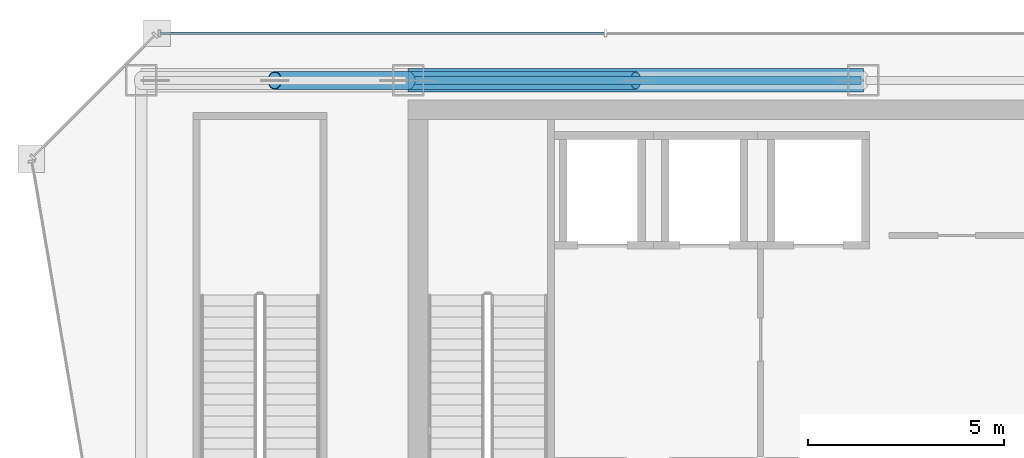
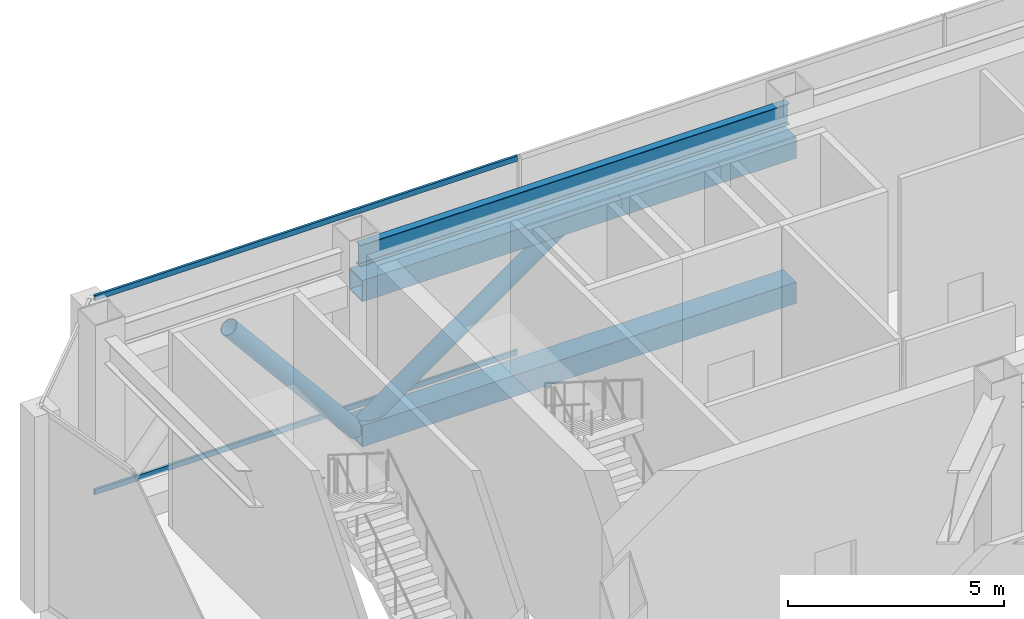
# One storey, part 22 of 34: 6 members, 1 beam, 1 element without a shape of its own.
"""IFC4 building model written with IfcOpenShell, lengths in metres."""

from ifc_helpers import new_model, si_unit, direction, frame, origin, origin_2d, place, context, subcontext, project, spatial, hollow_rectangle, hollow_circle, i_section, extrude, material, material_profile, profile_set, type_object, element, aggregate, save


model = new_model("IFC4")

# Units and contexts
model_context = context("Model", 3, precision=1e-05, world=origin(), true_north=direction((0.0, 1.0)))
body_context = subcontext(model_context, "Body", "Model", "MODEL_VIEW")
ifc_project = project(units=[si_unit("LENGTHUNIT", "METRE"), si_unit("AREAUNIT", "SQUARE_METRE"), si_unit("VOLUMEUNIT", "CUBIC_METRE"), si_unit("PLANEANGLEUNIT", "RADIAN"), si_unit("MASSUNIT", "GRAM", prefix="KILO")], contexts=[model_context])

# Site, building, storey
site_placement = place(None, origin())
site = spatial("IfcSite", under=ifc_project, at=site_placement, CompositionType="ELEMENT")
building_placement = place(site_placement, origin())
building = spatial("IfcBuilding", under=site, at=building_placement, Name="Saevonmaru Cultural Tower", CompositionType="ELEMENT")
storey_placement = place(building_placement, frame((0.0, 0.0, 224.60009765625)))
storey = spatial("IfcBuildingStorey", under=building, at=storey_placement, Name="L52", CompositionType="ELEMENT", Elevation=224.60009765625)

# Beam
ifc_material_1 = material(Name="Steel SM355", Category="steel")
ifc_material_profile_1 = material_profile(ifc_material_1, i_section(OverallWidth=0.199951171875, OverallDepth=0.60009765625, WebThickness=0.010986328125, FlangeThickness=0.01708984375, FilletRadius=0.02197265625, at=origin_2d()), Name="H-600x200x11x17")
ifc_profile_set_1 = profile_set([ifc_material_profile_1], Name="Steel SM355")
beam_type = type_object("IfcBeamType", Name="BM-SP-H600", PredefinedType="SPANDREL", material=ifc_profile_set_1)
beam_placement = place(storey_placement, frame((13.659912109375, 54.800048828125, 5.25), z_axis=(1.0, 0.0, 0.0), x_axis=(0.0, 1.0, 0.0)))
element("IfcBeam", 1, at=beam_placement, inside=storey, type_object=beam_type, Name="L52 North Spine Girder 2", PredefinedType="SPANDREL", context=body_context, shape_type="SweptSolid", body=[
    extrude(i_section(OverallWidth=0.199951171875, OverallDepth=0.60009765625, WebThickness=0.010986328125, FlangeThickness=0.01708984375, FilletRadius=0.02197265625, at=origin_2d()), origin(), (0.0, 0.0, 1.0), 11.47998046875),
])

# Members
ifc_material_2 = material(Name="Steel SM420", Category="steel")
ifc_material_profile_2 = material_profile(ifc_material_2, hollow_circle(Radius=0.228515625, WallThickness=0.02001953125, at=origin_2d()), Name="CHS-457.2x20")
ifc_profile_set_2 = profile_set([ifc_material_profile_2], Name="Steel SM420")
member_type_1 = type_object("IfcMemberType", Name="MB-OBR-CHS457", PredefinedType="BRACE", material=ifc_profile_set_2)
member_1_placement = place(storey_placement, frame((13.60009765625, 54.800048828125, 0.2998046875), z_axis=(0.816561854752, 0.0, 0.577257946991), x_axis=(0.0, 1.0, 0.0)))
element("IfcMember", 2, at=member_1_placement, inside=storey, type_object=member_type_1, Name="L52 Outrigger Truss Diagonal OW1-1", PredefinedType="BRACE", context=body_context, shape_type="SweptSolid", body=[
    extrude(hollow_circle(Radius=0.228515625, WallThickness=0.02001953125, at=origin_2d()), origin(), (0.0, 0.0, 1.0), 7.102783203125),
])
member_2_placement = place(storey_placement, frame((13.60009765625, 54.800048828125, 0.2998046875), z_axis=(-0.63834315598, 0.0, 0.769751917967), x_axis=(0.0, -1.0, 0.0)))
element("IfcMember", 3, at=member_2_placement, inside=storey, type_object=member_type_1, Name="L52 Outrigger Truss Diagonal OW2-2", PredefinedType="BRACE", context=body_context, shape_type="SweptSolid", body=[
    extrude(hollow_circle(Radius=0.228515625, WallThickness=0.02001953125, at=origin_2d()), origin(), (0.0, 0.0, 1.0), 5.326416015625),
])
ifc_material_profile_3 = material_profile(ifc_material_2, hollow_rectangle(XDim=0.60009765625, YDim=0.60009765625, WallThickness=0.028076171875, at=origin_2d()), Name="BOX-600x600x28")
ifc_profile_set_3 = profile_set([ifc_material_profile_3], Name="Steel SM420")
member_type_2 = type_object("IfcMemberType", Name="MB-OCH-BOX600", PredefinedType="CHORD", material=ifc_profile_set_3)
for number, where, z_axis, x_axis, name in (
    (4, (13.60009765625, 54.800048828125, 0.2998046875), (1.0, 0.0, 0.0), (0.0, 1.0, 0.0), "L52 Outrigger Truss Bottom Chord OW1"),
    (5, (13.60009765625, 54.800048828125, 4.39990234375), (1.0, 0.0, 0.0), (0.0, 1.0, 0.0), "L52 Outrigger Truss Top Chord OW1"),
):
    element("IfcMember", number, at=place(storey_placement, frame(where, z_axis=z_axis, x_axis=x_axis)), inside=storey, type_object=member_type_2, Name=name, PredefinedType="CHORD", context=body_context, shape_type="SweptSolid", body=[
        extrude(hollow_rectangle(XDim=0.60009765625, YDim=0.60009765625, WallThickness=0.028076171875, at=origin_2d()), origin(), (0.0, 0.0, 1.0), 11.599853515625),
    ])

# Curtain wall, members
ifc_material_3 = material(Name="Satin Bronze Anodised Aluminium", Category="aluminium")
curtain_wall_type = type_object("IfcCurtainWallType", Name="CW-TYP-B", PredefinedType="NOTDEFINED", material=ifc_material_3)
curtain_wall_placement = place(storey_placement, origin())
curtain_wall = element("IfcCurtainWall", 6, at=curtain_wall_placement, inside=storey, type_object=curtain_wall_type, Name="L52 Wind-Floor Acoustic Louvre Screen E10", PredefinedType="NOTDEFINED")
ifc_material_profile_4 = material_profile(ifc_material_3, hollow_rectangle(XDim=0.06494140625, YDim=0.14990234375, WallThickness=0.00390625, at=origin_2d()), Name="ALU-TRAN-150x65x4")
ifc_profile_set_4 = profile_set([ifc_material_profile_4], Name="Satin Bronze Anodised Aluminium")
member_type_3 = type_object("IfcMemberType", Name="TR-CW-150x65", PredefinedType="USERDEFINED", material=ifc_profile_set_4)
member_3_placement = place(storey_placement, frame((18.597412109375, 56.0, 0.032470703125), z_axis=(-1.0, 0.0, 0.0), x_axis=(0.0, -1.0, 0.0)))
member_3 = element("IfcMember", 7, at=member_3_placement, type_object=member_type_3, Name="CW-TW-L52-E10 transom 4.1", ObjectType="TRANSOM", PredefinedType="USERDEFINED", context=body_context, shape_type="SweptSolid", body=[
    extrude(hollow_rectangle(XDim=0.06494140625, YDim=0.14990234375, WallThickness=0.00390625, at=origin_2d()), origin(), (0.0, 0.0, 1.0), 11.304931640625),
])
member_4_placement = place(storey_placement, frame((18.597412109375, 56.0, 5.517333984375), z_axis=(-1.0, 0.0, 0.0), x_axis=(0.0, -1.0, 0.0)))
member_4 = element("IfcMember", 8, at=member_4_placement, type_object=member_type_3, Name="CW-TW-L52-E10 transom 4.2", ObjectType="TRANSOM", PredefinedType="USERDEFINED", context=body_context, shape_type="SweptSolid", body=[
    extrude(hollow_rectangle(XDim=0.06494140625, YDim=0.14990234375, WallThickness=0.00390625, at=origin_2d()), origin(), (0.0, 0.0, 1.0), 11.304931640625),
])
aggregate(curtain_wall, [member_3, member_4])

save(model, "model.ifc")
